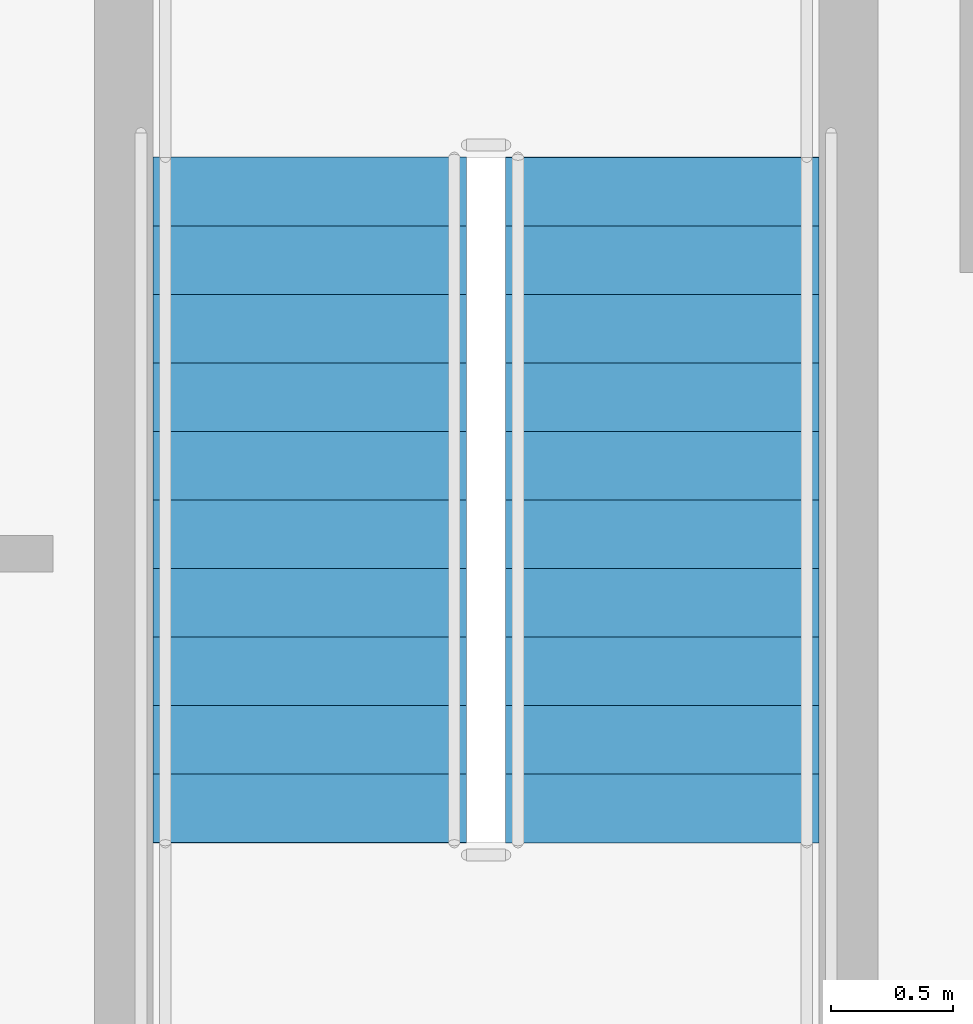
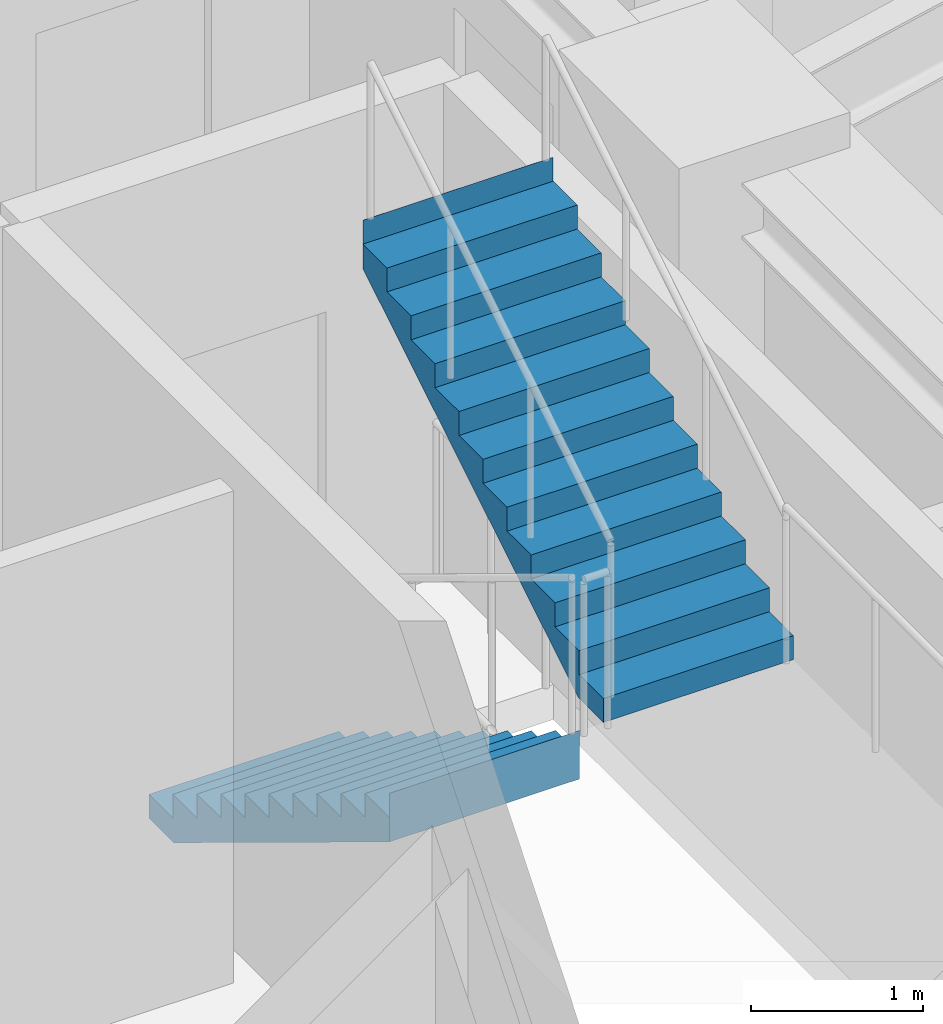
# One storey, part 12 of 15: 2 stair flights, 1 element without a shape of its own.
"""IFC4 building model written with IfcOpenShell, lengths in metres."""

from ifc_helpers import new_model, si_unit, direction, frame, origin, place, context, subcontext, project, spatial, polyline, outline, extrude, material, type_object, element, aggregate, save


model = new_model("IFC4")

# Units and contexts
model_context = context("Model", 3, precision=1e-05, world=origin(), true_north=direction((0.0, 1.0)))
body_context = subcontext(model_context, "Body", "Model", "MODEL_VIEW")
ifc_project = project(units=[si_unit("LENGTHUNIT", "METRE"), si_unit("AREAUNIT", "SQUARE_METRE"), si_unit("VOLUMEUNIT", "CUBIC_METRE"), si_unit("PLANEANGLEUNIT", "RADIAN"), si_unit("MASSUNIT", "GRAM", prefix="KILO")], contexts=[model_context])

# Site, building, storey
site_placement = place(None, origin())
site = spatial("IfcSite", under=ifc_project, at=site_placement, CompositionType="ELEMENT")
building_placement = place(site_placement, origin())
building = spatial("IfcBuilding", under=site, at=building_placement, Name="Ndelora Gate Hotel", CompositionType="ELEMENT")
storey_placement = place(building_placement, frame((0.0, 0.0, 53.0)))
storey = spatial("IfcBuildingStorey", under=building, at=storey_placement, Name="L12", CompositionType="ELEMENT", Elevation=53.0)

# Stair, stair flights
ifc_material = material(Name="Precast concrete C40/50", Category="concrete")
stair_type = type_object("IfcStairType", Name="STR-DOG-CORE", PredefinedType="HALF_TURN_STAIR", material=ifc_material)
stair_placement = place(storey_placement, origin())
stair = element("IfcStair", 1, at=stair_placement, inside=storey, type_object=stair_type, Name="L12 Protected Core Exit Stair ST5", PredefinedType="HALF_TURN_STAIR")
stair_flight_type = type_object("IfcStairFlightType", Name="STF-PRECAST", PredefinedType="STRAIGHT", material=ifc_material)
stair_flight_1_placement = place(storey_placement, frame((4.77001953125, -0.22998046875, 0.0), z_axis=(0.0, 0.0, 1.0), x_axis=(0.0, -1.0, 0.0)))
stair_flight_1 = element("IfcStairFlight", 2, at=stair_flight_1_placement, type_object=stair_flight_type, Name="ST5 flight 1", NumberOfRisers=11, NumberOfTreads=10, PredefinedType="STRAIGHT", RiserHeight=0.170454545, TreadLength=0.28, context=body_context, shape_type="SweptSolid", body=[
    extrude(outline(polyline([(-0.00048828125, 0.0), (-0.00048828125, 0.17041015625), (0.0, 0.17041015625), (0.280029296875, 0.17041015625), (0.280029296875, 0.3408203125), (0.56005859375, 0.3408203125), (0.56005859375, 0.511474609375), (0.840087890625, 0.511474609375), (0.840087890625, 0.681884765625), (1.1201171875, 0.681884765625), (1.1201171875, 0.852294921875), (1.39990234375, 0.852294921875), (1.39990234375, 1.022705078125), (1.679931640625, 1.022705078125), (1.679931640625, 1.193115234375), (1.9599609375, 1.193115234375), (1.9599609375, 1.363525390625), (2.239990234375, 1.363525390625), (2.239990234375, 1.5341796875), (2.52001953125, 1.5341796875), (2.52001953125, 1.70458984375), (2.800048828125, 1.70458984375), (2.800048828125, 1.875), (2.800537109375, 1.875), (2.800537109375, 1.695068359375), (2.800048828125, 1.529052734375), (0.288330078125, 0.0), (-0.00048828125, 0.0)])), frame((0.0, 0.64013671875, 0.0), z_axis=(0.0, -1.0, 0.0), x_axis=(1.0, 0.0, 0.0)), (0.0, 0.0, 1.0), 1.280029296875),
])
stair_flight_2_placement = place(storey_placement, frame((6.2099609375, -3.030029296875, 1.875), z_axis=(0.0, 0.0, 1.0), x_axis=(0.0, 1.0, 0.0)))
stair_flight_2 = element("IfcStairFlight", 3, at=stair_flight_2_placement, type_object=stair_flight_type, Name="ST5 flight 2", NumberOfRisers=11, NumberOfTreads=10, PredefinedType="STRAIGHT", RiserHeight=0.170454545, TreadLength=0.28, context=body_context, shape_type="SweptSolid", body=[
    extrude(outline(polyline([(-0.00048828125, 0.0), (-0.00048828125, 0.17041015625), (0.0, 0.17041015625), (0.280029296875, 0.17041015625), (0.280029296875, 0.3408203125), (0.56005859375, 0.3408203125), (0.56005859375, 0.511474609375), (0.840087890625, 0.511474609375), (0.840087890625, 0.681884765625), (1.1201171875, 0.681884765625), (1.1201171875, 0.852294921875), (1.39990234375, 0.852294921875), (1.39990234375, 1.022705078125), (1.679931640625, 1.022705078125), (1.679931640625, 1.193115234375), (1.9599609375, 1.193115234375), (1.9599609375, 1.363525390625), (2.239990234375, 1.363525390625), (2.239990234375, 1.5341796875), (2.52001953125, 1.5341796875), (2.52001953125, 1.70458984375), (2.800048828125, 1.70458984375), (2.800048828125, 1.875), (2.800537109375, 1.875), (2.800537109375, 1.695068359375), (2.800048828125, 1.529052734375), (0.288330078125, 0.0), (-0.00048828125, 0.0)])), frame((0.0, 0.64013671875, 0.0), z_axis=(0.0, -1.0, 0.0), x_axis=(1.0, 0.0, 0.0)), (0.0, 0.0, 1.0), 1.280029296875),
])
aggregate(stair, [stair_flight_1, stair_flight_2])

save(model, "model.ifc")
